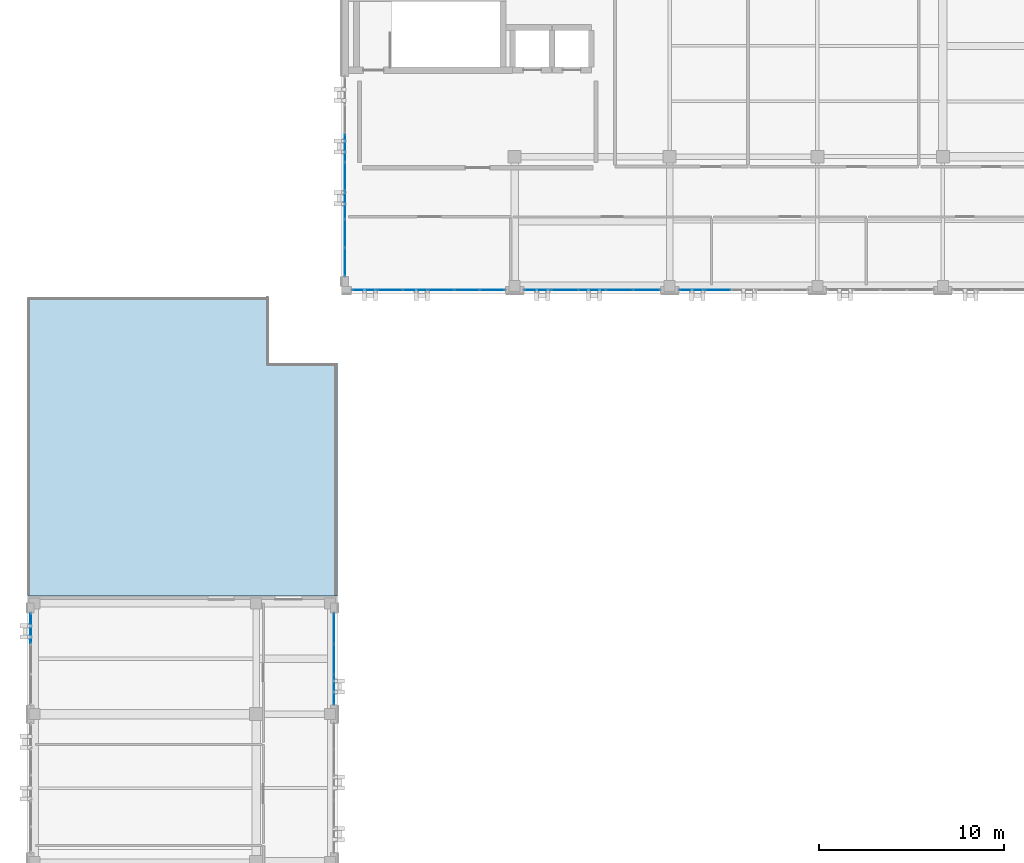
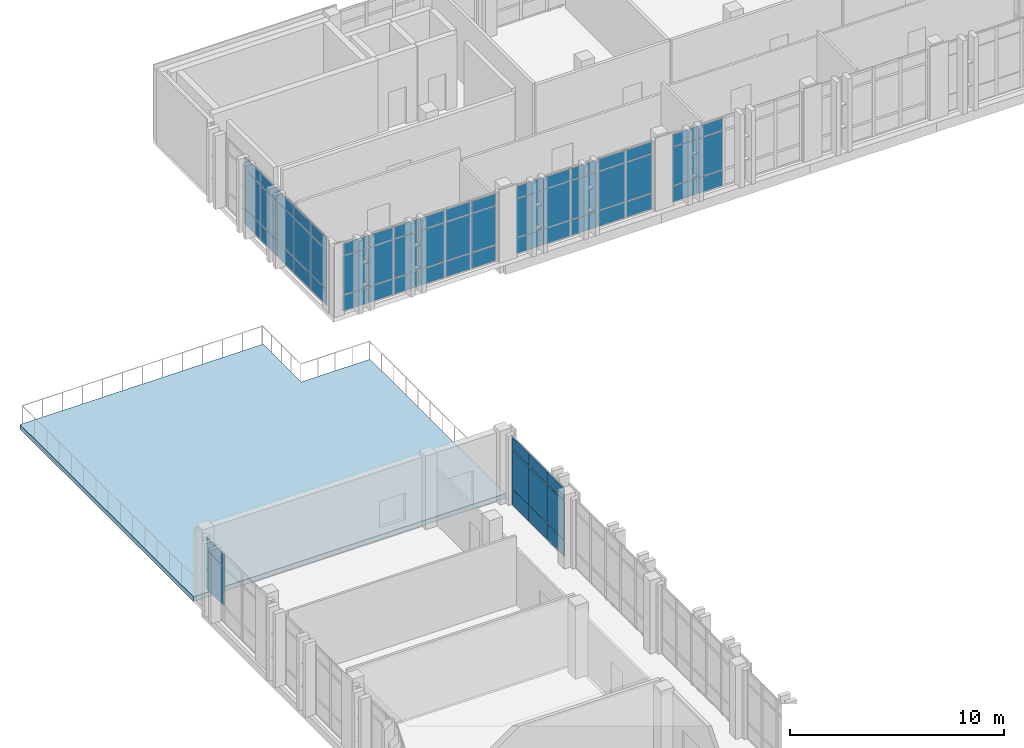
# One storey, part 53 of 77: 65 plates, 1 slab, 6 elements without a shape of their own.
"""IFC4 building model written with IfcOpenShell, lengths in metres."""

from ifc_helpers import new_model, si_unit, direction, frame, origin, origin_2d, place, context, subcontext, project, spatial, polyline, rectangle, outline, extrude, material, layer, layer_set, type_object, element, aggregate, save


model = new_model("IFC4")

# Units and contexts
model_context = context("Model", 3, precision=1e-05, world=origin(), true_north=direction((0.0, 1.0)))
body_context = subcontext(model_context, "Body", "Model", "MODEL_VIEW")
ifc_project = project(units=[si_unit("LENGTHUNIT", "METRE"), si_unit("AREAUNIT", "SQUARE_METRE"), si_unit("VOLUMEUNIT", "CUBIC_METRE"), si_unit("PLANEANGLEUNIT", "RADIAN"), si_unit("MASSUNIT", "GRAM", prefix="KILO")], contexts=[model_context])

# Site, building, storey
site_placement = place(None, origin())
site = spatial("IfcSite", under=ifc_project, at=site_placement, CompositionType="ELEMENT")
building_placement = place(site_placement, origin())
building = spatial("IfcBuilding", under=site, at=building_placement, Name="Qalavern Law Courts", CompositionType="ELEMENT")
storey_placement = place(building_placement, frame((0.0, 0.0, 27.0)))
storey = spatial("IfcBuildingStorey", under=building, at=storey_placement, Name="L06", CompositionType="ELEMENT", Elevation=27.0)

# Curtain wall, plates
ifc_material_1 = material(Name="Anodised aluminium and insulated glazing", Category="aluminium")
ifc_layer_1 = layer(ifc_material_1, 0.159912109375)
ifc_layer_set_1 = layer_set([ifc_layer_1], Name="Anodised aluminium and insulated glazing")
curtain_wall_type_1 = type_object("IfcCurtainWallType", Name="ENV-CW-CHAMB", PredefinedType="USERDEFINED", material=ifc_layer_set_1)
curtain_wall_1_placement = place(storey_placement, origin())
curtain_wall_1 = element("IfcCurtainWall", 1, at=curtain_wall_1_placement, inside=storey, type_object=curtain_wall_type_1, Name="V3 unitised curtain wall L06 west 1", ObjectType="UNITISED CURTAIN WALL", PredefinedType="USERDEFINED")
ifc_material_2 = material(Name="Insulated low-E acoustic glazing", Category="glass")
ifc_layer_2 = layer(ifc_material_2, 0.031982421875)
ifc_layer_set_2 = layer_set([ifc_layer_2], Name="Insulated low-E acoustic glazing")
plate_type_1 = type_object("IfcPlateType", Name="ENV-CWP-32", PredefinedType="CURTAIN_PANEL", material=ifc_layer_set_2)
plate_1_placement = place(storey_placement, frame((2.18505859375, 78.042236328125, 0.973876953125), z_axis=(0.0, 0.0, 1.0), x_axis=(0.0, -1.0, 0.0)))
plate_1 = element("IfcPlate", 2, at=plate_1_placement, type_object=plate_type_1, Name="CW-04 panel 1.2", PredefinedType="CURTAIN_PANEL", context=body_context, shape_type="SweptSolid", body=[
    extrude(rectangle(XDim=1.589599609375, YDim=0.031982421875, at=origin_2d()), origin(), (0.0, 0.0, 1.0), 2.18701171875),
])
plate_2_placement = place(storey_placement, frame((2.18505859375, 78.042236328125, 3.208984375), z_axis=(0.0, 0.0, 1.0), x_axis=(0.0, -1.0, 0.0)))
plate_2 = element("IfcPlate", 3, at=plate_2_placement, type_object=plate_type_1, Name="CW-04 panel 1.3", PredefinedType="CURTAIN_PANEL", context=body_context, shape_type="SweptSolid", body=[
    extrude(rectangle(XDim=1.589599609375, YDim=0.031982421875, at=origin_2d()), origin(), (0.0, 0.0, 1.0), 0.677978515625),
])
aggregate(curtain_wall_1, [plate_1, plate_2])

ifc_layer_3 = layer(ifc_material_1, 0.166015625)
ifc_layer_set_3 = layer_set([ifc_layer_3], Name="Anodised aluminium and insulated glazing")
curtain_wall_type_2 = type_object("IfcCurtainWallType", Name="ENV-CW-LIB", PredefinedType="USERDEFINED", material=ifc_layer_set_3)
curtain_wall_2_placement = place(storey_placement, origin())
curtain_wall_2 = element("IfcCurtainWall", 4, at=curtain_wall_2_placement, inside=storey, type_object=curtain_wall_type_2, Name="V5 unitised curtain wall L06 south 1", ObjectType="UNITISED CURTAIN WALL", PredefinedType="USERDEFINED")
plate_3_placement = place(storey_placement, frame((20.276123046875, 96.385009765625, 0.048095703125), z_axis=(0.0, 0.0, 1.0), x_axis=(1.0, 0.0, 0.0)))
plate_3 = element("IfcPlate", 5, at=plate_3_placement, type_object=plate_type_1, Name="CW-05 panel 1.1", PredefinedType="CURTAIN_PANEL", context=body_context, shape_type="SweptSolid", body=[
    extrude(rectangle(XDim=1.31640625, YDim=0.031982421875, at=origin_2d()), origin(), (0.0, 0.0, 1.0), 0.8779296875),
])
plate_4_placement = place(storey_placement, frame((20.276123046875, 96.385009765625, 0.973876953125), z_axis=(0.0, 0.0, 1.0), x_axis=(1.0, 0.0, 0.0)))
plate_4 = element("IfcPlate", 6, at=plate_4_placement, type_object=plate_type_1, Name="CW-05 panel 1.2", PredefinedType="CURTAIN_PANEL", context=body_context, shape_type="SweptSolid", body=[
    extrude(rectangle(XDim=1.31640625, YDim=0.031982421875, at=origin_2d()), origin(), (0.0, 0.0, 1.0), 2.18701171875),
])
plate_5_placement = place(storey_placement, frame((20.276123046875, 96.385009765625, 3.208984375), z_axis=(0.0, 0.0, 1.0), x_axis=(1.0, 0.0, 0.0)))
plate_5 = element("IfcPlate", 7, at=plate_5_placement, type_object=plate_type_1, Name="CW-05 panel 1.3", PredefinedType="CURTAIN_PANEL", context=body_context, shape_type="SweptSolid", body=[
    extrude(rectangle(XDim=1.31640625, YDim=0.031982421875, at=origin_2d()), origin(), (0.0, 0.0, 1.0), 0.677978515625),
])
plate_6_placement = place(storey_placement, frame((21.652587890625, 96.385009765625, 0.048095703125), z_axis=(0.0, 0.0, 1.0), x_axis=(1.0, 0.0, 0.0)))
plate_6 = element("IfcPlate", 8, at=plate_6_placement, type_object=plate_type_1, Name="CW-05 panel 2.1", PredefinedType="CURTAIN_PANEL", context=body_context, shape_type="SweptSolid", body=[
    extrude(rectangle(XDim=1.34033203125, YDim=0.031982421875, at=origin_2d()), origin(), (0.0, 0.0, 1.0), 0.8779296875),
])
plate_7_placement = place(storey_placement, frame((21.652587890625, 96.385009765625, 0.973876953125), z_axis=(0.0, 0.0, 1.0), x_axis=(1.0, 0.0, 0.0)))
plate_7 = element("IfcPlate", 9, at=plate_7_placement, type_object=plate_type_1, Name="CW-05 panel 2.2", PredefinedType="CURTAIN_PANEL", context=body_context, shape_type="SweptSolid", body=[
    extrude(rectangle(XDim=1.34033203125, YDim=0.031982421875, at=origin_2d()), origin(), (0.0, 0.0, 1.0), 2.18701171875),
])
plate_8_placement = place(storey_placement, frame((21.652587890625, 96.385009765625, 3.208984375), z_axis=(0.0, 0.0, 1.0), x_axis=(1.0, 0.0, 0.0)))
plate_8 = element("IfcPlate", 10, at=plate_8_placement, type_object=plate_type_1, Name="CW-05 panel 2.3", PredefinedType="CURTAIN_PANEL", context=body_context, shape_type="SweptSolid", body=[
    extrude(rectangle(XDim=1.34033203125, YDim=0.031982421875, at=origin_2d()), origin(), (0.0, 0.0, 1.0), 0.677978515625),
])
plate_9_placement = place(storey_placement, frame((23.040771484375, 96.385009765625, 0.048095703125), z_axis=(0.0, 0.0, 1.0), x_axis=(1.0, 0.0, 0.0)))
plate_9 = element("IfcPlate", 11, at=plate_9_placement, type_object=plate_type_1, Name="CW-05 panel 3.1", PredefinedType="CURTAIN_PANEL", context=body_context, shape_type="SweptSolid", body=[
    extrude(rectangle(XDim=1.34033203125, YDim=0.031982421875, at=origin_2d()), origin(), (0.0, 0.0, 1.0), 0.8779296875),
])
plate_10_placement = place(storey_placement, frame((23.040771484375, 96.385009765625, 0.973876953125), z_axis=(0.0, 0.0, 1.0), x_axis=(1.0, 0.0, 0.0)))
plate_10 = element("IfcPlate", 12, at=plate_10_placement, type_object=plate_type_1, Name="CW-05 panel 3.2", PredefinedType="CURTAIN_PANEL", context=body_context, shape_type="SweptSolid", body=[
    extrude(rectangle(XDim=1.34033203125, YDim=0.031982421875, at=origin_2d()), origin(), (0.0, 0.0, 1.0), 2.18701171875),
])
plate_11_placement = place(storey_placement, frame((23.040771484375, 96.385009765625, 3.208984375), z_axis=(0.0, 0.0, 1.0), x_axis=(1.0, 0.0, 0.0)))
plate_11 = element("IfcPlate", 13, at=plate_11_placement, type_object=plate_type_1, Name="CW-05 panel 3.3", PredefinedType="CURTAIN_PANEL", context=body_context, shape_type="SweptSolid", body=[
    extrude(rectangle(XDim=1.34033203125, YDim=0.031982421875, at=origin_2d()), origin(), (0.0, 0.0, 1.0), 0.677978515625),
])
plate_12_placement = place(storey_placement, frame((24.42919921875, 96.385009765625, 0.048095703125), z_axis=(0.0, 0.0, 1.0), x_axis=(1.0, 0.0, 0.0)))
plate_12 = element("IfcPlate", 14, at=plate_12_placement, type_object=plate_type_1, Name="CW-05 panel 4.1", PredefinedType="CURTAIN_PANEL", context=body_context, shape_type="SweptSolid", body=[
    extrude(rectangle(XDim=1.34033203125, YDim=0.031982421875, at=origin_2d()), origin(), (0.0, 0.0, 1.0), 0.8779296875),
])
plate_13_placement = place(storey_placement, frame((24.42919921875, 96.385009765625, 0.973876953125), z_axis=(0.0, 0.0, 1.0), x_axis=(1.0, 0.0, 0.0)))
plate_13 = element("IfcPlate", 15, at=plate_13_placement, type_object=plate_type_1, Name="CW-05 panel 4.2", PredefinedType="CURTAIN_PANEL", context=body_context, shape_type="SweptSolid", body=[
    extrude(rectangle(XDim=1.34033203125, YDim=0.031982421875, at=origin_2d()), origin(), (0.0, 0.0, 1.0), 2.18701171875),
])
plate_14_placement = place(storey_placement, frame((24.42919921875, 96.385009765625, 3.208984375), z_axis=(0.0, 0.0, 1.0), x_axis=(1.0, 0.0, 0.0)))
plate_14 = element("IfcPlate", 16, at=plate_14_placement, type_object=plate_type_1, Name="CW-05 panel 4.3", PredefinedType="CURTAIN_PANEL", context=body_context, shape_type="SweptSolid", body=[
    extrude(rectangle(XDim=1.34033203125, YDim=0.031982421875, at=origin_2d()), origin(), (0.0, 0.0, 1.0), 0.677978515625),
])
plate_15_placement = place(storey_placement, frame((25.8173828125, 96.385009765625, 0.048095703125), z_axis=(0.0, 0.0, 1.0), x_axis=(1.0, 0.0, 0.0)))
plate_15 = element("IfcPlate", 17, at=plate_15_placement, type_object=plate_type_1, Name="CW-05 panel 5.1", PredefinedType="CURTAIN_PANEL", context=body_context, shape_type="SweptSolid", body=[
    extrude(rectangle(XDim=1.34033203125, YDim=0.031982421875, at=origin_2d()), origin(), (0.0, 0.0, 1.0), 0.8779296875),
])
plate_16_placement = place(storey_placement, frame((25.8173828125, 96.385009765625, 0.973876953125), z_axis=(0.0, 0.0, 1.0), x_axis=(1.0, 0.0, 0.0)))
plate_16 = element("IfcPlate", 18, at=plate_16_placement, type_object=plate_type_1, Name="CW-05 panel 5.2", PredefinedType="CURTAIN_PANEL", context=body_context, shape_type="SweptSolid", body=[
    extrude(rectangle(XDim=1.34033203125, YDim=0.031982421875, at=origin_2d()), origin(), (0.0, 0.0, 1.0), 2.18701171875),
])
plate_17_placement = place(storey_placement, frame((25.8173828125, 96.385009765625, 3.208984375), z_axis=(0.0, 0.0, 1.0), x_axis=(1.0, 0.0, 0.0)))
plate_17 = element("IfcPlate", 19, at=plate_17_placement, type_object=plate_type_1, Name="CW-05 panel 5.3", PredefinedType="CURTAIN_PANEL", context=body_context, shape_type="SweptSolid", body=[
    extrude(rectangle(XDim=1.34033203125, YDim=0.031982421875, at=origin_2d()), origin(), (0.0, 0.0, 1.0), 0.677978515625),
])
plate_18_placement = place(storey_placement, frame((27.19384765625, 96.385009765625, 0.048095703125), z_axis=(0.0, 0.0, 1.0), x_axis=(1.0, 0.0, 0.0)))
plate_18 = element("IfcPlate", 20, at=plate_18_placement, type_object=plate_type_1, Name="CW-05 panel 6.1", PredefinedType="CURTAIN_PANEL", context=body_context, shape_type="SweptSolid", body=[
    extrude(rectangle(XDim=1.31640625, YDim=0.031982421875, at=origin_2d()), origin(), (0.0, 0.0, 1.0), 0.8779296875),
])
plate_19_placement = place(storey_placement, frame((27.19384765625, 96.385009765625, 0.973876953125), z_axis=(0.0, 0.0, 1.0), x_axis=(1.0, 0.0, 0.0)))
plate_19 = element("IfcPlate", 21, at=plate_19_placement, type_object=plate_type_1, Name="CW-05 panel 6.2", PredefinedType="CURTAIN_PANEL", context=body_context, shape_type="SweptSolid", body=[
    extrude(rectangle(XDim=1.31640625, YDim=0.031982421875, at=origin_2d()), origin(), (0.0, 0.0, 1.0), 2.18701171875),
])
plate_20_placement = place(storey_placement, frame((27.19384765625, 96.385009765625, 3.208984375), z_axis=(0.0, 0.0, 1.0), x_axis=(1.0, 0.0, 0.0)))
plate_20 = element("IfcPlate", 22, at=plate_20_placement, type_object=plate_type_1, Name="CW-05 panel 6.3", PredefinedType="CURTAIN_PANEL", context=body_context, shape_type="SweptSolid", body=[
    extrude(rectangle(XDim=1.31640625, YDim=0.031982421875, at=origin_2d()), origin(), (0.0, 0.0, 1.0), 0.677978515625),
])
aggregate(curtain_wall_2, [plate_3, plate_4, plate_5, plate_6, plate_7, plate_8, plate_9, plate_10, plate_11, plate_12, plate_13, plate_14, plate_15, plate_16, plate_17, plate_18, plate_19, plate_20])

curtain_wall_3_placement = place(storey_placement, origin())
curtain_wall_3 = element("IfcCurtainWall", 23, at=curtain_wall_3_placement, inside=storey, type_object=curtain_wall_type_2, Name="V5 unitised curtain wall L06 west 1", ObjectType="UNITISED CURTAIN WALL", PredefinedType="USERDEFINED")
plate_21_placement = place(storey_placement, frame((19.205078125, 104.080322265625, 0.048095703125), z_axis=(0.0, 0.0, 1.0), x_axis=(0.0, -1.0, 0.0)))
plate_21 = element("IfcPlate", 24, at=plate_21_placement, type_object=plate_type_1, Name="CW-05 panel 3.1", PredefinedType="CURTAIN_PANEL", context=body_context, shape_type="SweptSolid", body=[
    extrude(rectangle(XDim=1.499755859375, YDim=0.031982421875, at=origin_2d()), origin(), (0.0, 0.0, 1.0), 0.8779296875),
])
plate_22_placement = place(storey_placement, frame((19.205078125, 104.080322265625, 0.973876953125), z_axis=(0.0, 0.0, 1.0), x_axis=(0.0, -1.0, 0.0)))
plate_22 = element("IfcPlate", 25, at=plate_22_placement, type_object=plate_type_1, Name="CW-05 panel 3.2", PredefinedType="CURTAIN_PANEL", context=body_context, shape_type="SweptSolid", body=[
    extrude(rectangle(XDim=1.499755859375, YDim=0.031982421875, at=origin_2d()), origin(), (0.0, 0.0, 1.0), 2.18701171875),
])
plate_23_placement = place(storey_placement, frame((19.205078125, 104.080322265625, 3.208984375), z_axis=(0.0, 0.0, 1.0), x_axis=(0.0, -1.0, 0.0)))
plate_23 = element("IfcPlate", 26, at=plate_23_placement, type_object=plate_type_1, Name="CW-05 panel 3.3", PredefinedType="CURTAIN_PANEL", context=body_context, shape_type="SweptSolid", body=[
    extrude(rectangle(XDim=1.499755859375, YDim=0.031982421875, at=origin_2d()), origin(), (0.0, 0.0, 1.0), 0.677978515625),
])
plate_24_placement = place(storey_placement, frame((19.205078125, 102.532470703125, 0.048095703125), z_axis=(0.0, 0.0, 1.0), x_axis=(0.0, -1.0, 0.0)))
plate_24 = element("IfcPlate", 27, at=plate_24_placement, type_object=plate_type_1, Name="CW-05 panel 4.1", PredefinedType="CURTAIN_PANEL", context=body_context, shape_type="SweptSolid", body=[
    extrude(rectangle(XDim=1.499755859375, YDim=0.031982421875, at=origin_2d()), origin(), (0.0, 0.0, 1.0), 0.8779296875),
])
plate_25_placement = place(storey_placement, frame((19.205078125, 102.532470703125, 0.973876953125), z_axis=(0.0, 0.0, 1.0), x_axis=(0.0, -1.0, 0.0)))
plate_25 = element("IfcPlate", 28, at=plate_25_placement, type_object=plate_type_1, Name="CW-05 panel 4.2", PredefinedType="CURTAIN_PANEL", context=body_context, shape_type="SweptSolid", body=[
    extrude(rectangle(XDim=1.499755859375, YDim=0.031982421875, at=origin_2d()), origin(), (0.0, 0.0, 1.0), 2.18701171875),
])
plate_26_placement = place(storey_placement, frame((19.205078125, 102.532470703125, 3.208984375), z_axis=(0.0, 0.0, 1.0), x_axis=(0.0, -1.0, 0.0)))
plate_26 = element("IfcPlate", 29, at=plate_26_placement, type_object=plate_type_1, Name="CW-05 panel 4.3", PredefinedType="CURTAIN_PANEL", context=body_context, shape_type="SweptSolid", body=[
    extrude(rectangle(XDim=1.499755859375, YDim=0.031982421875, at=origin_2d()), origin(), (0.0, 0.0, 1.0), 0.677978515625),
])
plate_27_placement = place(storey_placement, frame((19.205078125, 100.984619140625, 0.048095703125), z_axis=(0.0, 0.0, 1.0), x_axis=(0.0, -1.0, 0.0)))
plate_27 = element("IfcPlate", 30, at=plate_27_placement, type_object=plate_type_1, Name="CW-05 panel 5.1", PredefinedType="CURTAIN_PANEL", context=body_context, shape_type="SweptSolid", body=[
    extrude(rectangle(XDim=1.499755859375, YDim=0.031982421875, at=origin_2d()), origin(), (0.0, 0.0, 1.0), 0.8779296875),
])
plate_28_placement = place(storey_placement, frame((19.205078125, 100.984619140625, 0.973876953125), z_axis=(0.0, 0.0, 1.0), x_axis=(0.0, -1.0, 0.0)))
plate_28 = element("IfcPlate", 31, at=plate_28_placement, type_object=plate_type_1, Name="CW-05 panel 5.2", PredefinedType="CURTAIN_PANEL", context=body_context, shape_type="SweptSolid", body=[
    extrude(rectangle(XDim=1.499755859375, YDim=0.031982421875, at=origin_2d()), origin(), (0.0, 0.0, 1.0), 2.18701171875),
])
plate_29_placement = place(storey_placement, frame((19.205078125, 100.984619140625, 3.208984375), z_axis=(0.0, 0.0, 1.0), x_axis=(0.0, -1.0, 0.0)))
plate_29 = element("IfcPlate", 32, at=plate_29_placement, type_object=plate_type_1, Name="CW-05 panel 5.3", PredefinedType="CURTAIN_PANEL", context=body_context, shape_type="SweptSolid", body=[
    extrude(rectangle(XDim=1.499755859375, YDim=0.031982421875, at=origin_2d()), origin(), (0.0, 0.0, 1.0), 0.677978515625),
])
plate_30_placement = place(storey_placement, frame((19.205078125, 99.436767578125, 0.048095703125), z_axis=(0.0, 0.0, 1.0), x_axis=(0.0, -1.0, 0.0)))
plate_30 = element("IfcPlate", 33, at=plate_30_placement, type_object=plate_type_1, Name="CW-05 panel 6.1", PredefinedType="CURTAIN_PANEL", context=body_context, shape_type="SweptSolid", body=[
    extrude(rectangle(XDim=1.499755859375, YDim=0.031982421875, at=origin_2d()), origin(), (0.0, 0.0, 1.0), 0.8779296875),
])
plate_31_placement = place(storey_placement, frame((19.205078125, 99.436767578125, 0.973876953125), z_axis=(0.0, 0.0, 1.0), x_axis=(0.0, -1.0, 0.0)))
plate_31 = element("IfcPlate", 34, at=plate_31_placement, type_object=plate_type_1, Name="CW-05 panel 6.2", PredefinedType="CURTAIN_PANEL", context=body_context, shape_type="SweptSolid", body=[
    extrude(rectangle(XDim=1.499755859375, YDim=0.031982421875, at=origin_2d()), origin(), (0.0, 0.0, 1.0), 2.18701171875),
])
plate_32_placement = place(storey_placement, frame((19.205078125, 99.436767578125, 3.208984375), z_axis=(0.0, 0.0, 1.0), x_axis=(0.0, -1.0, 0.0)))
plate_32 = element("IfcPlate", 35, at=plate_32_placement, type_object=plate_type_1, Name="CW-05 panel 6.3", PredefinedType="CURTAIN_PANEL", context=body_context, shape_type="SweptSolid", body=[
    extrude(rectangle(XDim=1.499755859375, YDim=0.031982421875, at=origin_2d()), origin(), (0.0, 0.0, 1.0), 0.677978515625),
])
plate_33_placement = place(storey_placement, frame((19.205078125, 97.90087890625, 0.048095703125), z_axis=(0.0, 0.0, 1.0), x_axis=(0.0, -1.0, 0.0)))
plate_33 = element("IfcPlate", 36, at=plate_33_placement, type_object=plate_type_1, Name="CW-05 panel 7.1", PredefinedType="CURTAIN_PANEL", context=body_context, shape_type="SweptSolid", body=[
    extrude(rectangle(XDim=1.475830078125, YDim=0.031982421875, at=origin_2d()), origin(), (0.0, 0.0, 1.0), 0.8779296875),
])
plate_34_placement = place(storey_placement, frame((19.205078125, 97.90087890625, 0.973876953125), z_axis=(0.0, 0.0, 1.0), x_axis=(0.0, -1.0, 0.0)))
plate_34 = element("IfcPlate", 37, at=plate_34_placement, type_object=plate_type_1, Name="CW-05 panel 7.2", PredefinedType="CURTAIN_PANEL", context=body_context, shape_type="SweptSolid", body=[
    extrude(rectangle(XDim=1.475830078125, YDim=0.031982421875, at=origin_2d()), origin(), (0.0, 0.0, 1.0), 2.18701171875),
])
plate_35_placement = place(storey_placement, frame((19.205078125, 97.90087890625, 3.208984375), z_axis=(0.0, 0.0, 1.0), x_axis=(0.0, -1.0, 0.0)))
plate_35 = element("IfcPlate", 38, at=plate_35_placement, type_object=plate_type_1, Name="CW-05 panel 7.3", PredefinedType="CURTAIN_PANEL", context=body_context, shape_type="SweptSolid", body=[
    extrude(rectangle(XDim=1.475830078125, YDim=0.031982421875, at=origin_2d()), origin(), (0.0, 0.0, 1.0), 0.677978515625),
])
aggregate(curtain_wall_3, [plate_21, plate_22, plate_23, plate_24, plate_25, plate_26, plate_27, plate_28, plate_29, plate_30, plate_31, plate_32, plate_33, plate_34, plate_35])

curtain_wall_4_placement = place(storey_placement, origin())
curtain_wall_4 = element("IfcCurtainWall", 39, at=curtain_wall_4_placement, inside=storey, type_object=curtain_wall_type_2, Name="V5 unitised curtain wall L06 south 2", ObjectType="UNITISED CURTAIN WALL", PredefinedType="USERDEFINED")
ifc_layer_4 = layer(ifc_material_2, 0.035888671875)
ifc_layer_set_4 = layer_set([ifc_layer_4], Name="Insulated low-E acoustic glazing")
plate_type_2 = type_object("IfcPlateType", Name="ENV-CWP-36", PredefinedType="CURTAIN_PANEL", material=ifc_layer_set_4)
plate_36_placement = place(storey_placement, frame((29.652099609375, 96.385009765625, 0.048095703125), z_axis=(0.0, 0.0, 1.0), x_axis=(1.0, 0.0, 0.0)))
plate_36 = element("IfcPlate", 40, at=plate_36_placement, type_object=plate_type_2, Name="CW-05 panel 1.1", PredefinedType="CURTAIN_PANEL", context=body_context, shape_type="SweptSolid", body=[
    extrude(rectangle(XDim=1.407958984375, YDim=0.035888671875, at=origin_2d()), origin(), (0.0, 0.0, 1.0), 0.8779296875),
])
plate_37_placement = place(storey_placement, frame((29.652099609375, 96.385009765625, 0.973876953125), z_axis=(0.0, 0.0, 1.0), x_axis=(1.0, 0.0, 0.0)))
plate_37 = element("IfcPlate", 41, at=plate_37_placement, type_object=plate_type_2, Name="CW-05 panel 1.2", PredefinedType="CURTAIN_PANEL", context=body_context, shape_type="SweptSolid", body=[
    extrude(rectangle(XDim=1.407958984375, YDim=0.035888671875, at=origin_2d()), origin(), (0.0, 0.0, 1.0), 2.18701171875),
])
plate_38_placement = place(storey_placement, frame((29.652099609375, 96.385009765625, 3.208984375), z_axis=(0.0, 0.0, 1.0), x_axis=(1.0, 0.0, 0.0)))
plate_38 = element("IfcPlate", 42, at=plate_38_placement, type_object=plate_type_2, Name="CW-05 panel 1.3", PredefinedType="CURTAIN_PANEL", context=body_context, shape_type="SweptSolid", body=[
    extrude(rectangle(XDim=1.407958984375, YDim=0.035888671875, at=origin_2d()), origin(), (0.0, 0.0, 1.0), 0.677978515625),
])
plate_39_placement = place(storey_placement, frame((31.1201171875, 96.385009765625, 0.048095703125), z_axis=(0.0, 0.0, 1.0), x_axis=(1.0, 0.0, 0.0)))
plate_39 = element("IfcPlate", 43, at=plate_39_placement, type_object=plate_type_2, Name="CW-05 panel 2.1", PredefinedType="CURTAIN_PANEL", context=body_context, shape_type="SweptSolid", body=[
    extrude(rectangle(XDim=1.431884765625, YDim=0.035888671875, at=origin_2d()), origin(), (0.0, 0.0, 1.0), 0.8779296875),
])
plate_40_placement = place(storey_placement, frame((31.1201171875, 96.385009765625, 0.973876953125), z_axis=(0.0, 0.0, 1.0), x_axis=(1.0, 0.0, 0.0)))
plate_40 = element("IfcPlate", 44, at=plate_40_placement, type_object=plate_type_2, Name="CW-05 panel 2.2", PredefinedType="CURTAIN_PANEL", context=body_context, shape_type="SweptSolid", body=[
    extrude(rectangle(XDim=1.431884765625, YDim=0.035888671875, at=origin_2d()), origin(), (0.0, 0.0, 1.0), 2.18701171875),
])
plate_41_placement = place(storey_placement, frame((31.1201171875, 96.385009765625, 3.208984375), z_axis=(0.0, 0.0, 1.0), x_axis=(1.0, 0.0, 0.0)))
plate_41 = element("IfcPlate", 45, at=plate_41_placement, type_object=plate_type_2, Name="CW-05 panel 2.3", PredefinedType="CURTAIN_PANEL", context=body_context, shape_type="SweptSolid", body=[
    extrude(rectangle(XDim=1.431884765625, YDim=0.035888671875, at=origin_2d()), origin(), (0.0, 0.0, 1.0), 0.677978515625),
])
plate_42_placement = place(storey_placement, frame((32.60009765625, 96.385009765625, 0.048095703125), z_axis=(0.0, 0.0, 1.0), x_axis=(1.0, 0.0, 0.0)))
plate_42 = element("IfcPlate", 46, at=plate_42_placement, type_object=plate_type_2, Name="CW-05 panel 3.1", PredefinedType="CURTAIN_PANEL", context=body_context, shape_type="SweptSolid", body=[
    extrude(rectangle(XDim=1.431884765625, YDim=0.035888671875, at=origin_2d()), origin(), (0.0, 0.0, 1.0), 0.8779296875),
])
plate_43_placement = place(storey_placement, frame((32.60009765625, 96.385009765625, 0.973876953125), z_axis=(0.0, 0.0, 1.0), x_axis=(1.0, 0.0, 0.0)))
plate_43 = element("IfcPlate", 47, at=plate_43_placement, type_object=plate_type_2, Name="CW-05 panel 3.2", PredefinedType="CURTAIN_PANEL", context=body_context, shape_type="SweptSolid", body=[
    extrude(rectangle(XDim=1.431884765625, YDim=0.035888671875, at=origin_2d()), origin(), (0.0, 0.0, 1.0), 2.18701171875),
])
plate_44_placement = place(storey_placement, frame((32.60009765625, 96.385009765625, 3.208984375), z_axis=(0.0, 0.0, 1.0), x_axis=(1.0, 0.0, 0.0)))
plate_44 = element("IfcPlate", 48, at=plate_44_placement, type_object=plate_type_2, Name="CW-05 panel 3.3", PredefinedType="CURTAIN_PANEL", context=body_context, shape_type="SweptSolid", body=[
    extrude(rectangle(XDim=1.431884765625, YDim=0.035888671875, at=origin_2d()), origin(), (0.0, 0.0, 1.0), 0.677978515625),
])
plate_45_placement = place(storey_placement, frame((34.080078125, 96.385009765625, 0.048095703125), z_axis=(0.0, 0.0, 1.0), x_axis=(1.0, 0.0, 0.0)))
plate_45 = element("IfcPlate", 49, at=plate_45_placement, type_object=plate_type_2, Name="CW-05 panel 4.1", PredefinedType="CURTAIN_PANEL", context=body_context, shape_type="SweptSolid", body=[
    extrude(rectangle(XDim=1.431884765625, YDim=0.035888671875, at=origin_2d()), origin(), (0.0, 0.0, 1.0), 0.8779296875),
])
plate_46_placement = place(storey_placement, frame((34.080078125, 96.385009765625, 0.973876953125), z_axis=(0.0, 0.0, 1.0), x_axis=(1.0, 0.0, 0.0)))
plate_46 = element("IfcPlate", 50, at=plate_46_placement, type_object=plate_type_2, Name="CW-05 panel 4.2", PredefinedType="CURTAIN_PANEL", context=body_context, shape_type="SweptSolid", body=[
    extrude(rectangle(XDim=1.431884765625, YDim=0.035888671875, at=origin_2d()), origin(), (0.0, 0.0, 1.0), 2.18701171875),
])
plate_47_placement = place(storey_placement, frame((34.080078125, 96.385009765625, 3.208984375), z_axis=(0.0, 0.0, 1.0), x_axis=(1.0, 0.0, 0.0)))
plate_47 = element("IfcPlate", 51, at=plate_47_placement, type_object=plate_type_2, Name="CW-05 panel 4.3", PredefinedType="CURTAIN_PANEL", context=body_context, shape_type="SweptSolid", body=[
    extrude(rectangle(XDim=1.431884765625, YDim=0.035888671875, at=origin_2d()), origin(), (0.0, 0.0, 1.0), 0.677978515625),
])
plate_48_placement = place(storey_placement, frame((35.548095703125, 96.385009765625, 0.048095703125), z_axis=(0.0, 0.0, 1.0), x_axis=(1.0, 0.0, 0.0)))
plate_48 = element("IfcPlate", 52, at=plate_48_placement, type_object=plate_type_2, Name="CW-05 panel 5.1", PredefinedType="CURTAIN_PANEL", context=body_context, shape_type="SweptSolid", body=[
    extrude(rectangle(XDim=1.407958984375, YDim=0.035888671875, at=origin_2d()), origin(), (0.0, 0.0, 1.0), 0.8779296875),
])
plate_49_placement = place(storey_placement, frame((35.548095703125, 96.385009765625, 0.973876953125), z_axis=(0.0, 0.0, 1.0), x_axis=(1.0, 0.0, 0.0)))
plate_49 = element("IfcPlate", 53, at=plate_49_placement, type_object=plate_type_2, Name="CW-05 panel 5.2", PredefinedType="CURTAIN_PANEL", context=body_context, shape_type="SweptSolid", body=[
    extrude(rectangle(XDim=1.407958984375, YDim=0.035888671875, at=origin_2d()), origin(), (0.0, 0.0, 1.0), 2.18701171875),
])
plate_50_placement = place(storey_placement, frame((35.548095703125, 96.385009765625, 3.208984375), z_axis=(0.0, 0.0, 1.0), x_axis=(1.0, 0.0, 0.0)))
plate_50 = element("IfcPlate", 54, at=plate_50_placement, type_object=plate_type_2, Name="CW-05 panel 5.3", PredefinedType="CURTAIN_PANEL", context=body_context, shape_type="SweptSolid", body=[
    extrude(rectangle(XDim=1.407958984375, YDim=0.035888671875, at=origin_2d()), origin(), (0.0, 0.0, 1.0), 0.677978515625),
])
aggregate(curtain_wall_4, [plate_36, plate_37, plate_38, plate_39, plate_40, plate_41, plate_42, plate_43, plate_44, plate_45, plate_46, plate_47, plate_48, plate_49, plate_50])

curtain_wall_5_placement = place(storey_placement, origin())
curtain_wall_5 = element("IfcCurtainWall", 55, at=curtain_wall_5_placement, inside=storey, type_object=curtain_wall_type_2, Name="V5 unitised curtain wall L06 south 3", ObjectType="UNITISED CURTAIN WALL", PredefinedType="USERDEFINED")
ifc_layer_5 = layer(ifc_material_2, 0.0400390625)
ifc_layer_set_5 = layer_set([ifc_layer_5], Name="Insulated low-E acoustic glazing")
plate_type_3 = type_object("IfcPlateType", Name="ENV-CWP-40", PredefinedType="CURTAIN_PANEL", material=ifc_layer_set_5)
plate_51_placement = place(storey_placement, frame((38.011962890625, 96.385009765625, 0.048095703125), z_axis=(0.0, 0.0, 1.0), x_axis=(1.0, 0.0, 0.0)))
plate_51 = element("IfcPlate", 56, at=plate_51_placement, type_object=plate_type_3, Name="CW-05 panel 1.1", PredefinedType="CURTAIN_PANEL", context=body_context, shape_type="SweptSolid", body=[
    extrude(rectangle(XDim=1.327880859375, YDim=0.0400390625, at=origin_2d()), origin(), (0.0, 0.0, 1.0), 0.8779296875),
])
plate_52_placement = place(storey_placement, frame((38.011962890625, 96.385009765625, 0.973876953125), z_axis=(0.0, 0.0, 1.0), x_axis=(1.0, 0.0, 0.0)))
plate_52 = element("IfcPlate", 57, at=plate_52_placement, type_object=plate_type_3, Name="CW-05 panel 1.2", PredefinedType="CURTAIN_PANEL", context=body_context, shape_type="SweptSolid", body=[
    extrude(rectangle(XDim=1.327880859375, YDim=0.0400390625, at=origin_2d()), origin(), (0.0, 0.0, 1.0), 2.18701171875),
])
plate_53_placement = place(storey_placement, frame((38.011962890625, 96.385009765625, 3.208984375), z_axis=(0.0, 0.0, 1.0), x_axis=(1.0, 0.0, 0.0)))
plate_53 = element("IfcPlate", 58, at=plate_53_placement, type_object=plate_type_3, Name="CW-05 panel 1.3", PredefinedType="CURTAIN_PANEL", context=body_context, shape_type="SweptSolid", body=[
    extrude(rectangle(XDim=1.327880859375, YDim=0.0400390625, at=origin_2d()), origin(), (0.0, 0.0, 1.0), 0.677978515625),
])
plate_54_placement = place(storey_placement, frame((39.39990234375, 96.385009765625, 0.048095703125), z_axis=(0.0, 0.0, 1.0), x_axis=(1.0, 0.0, 0.0)))
plate_54 = element("IfcPlate", 59, at=plate_54_placement, type_object=plate_type_3, Name="CW-05 panel 2.1", PredefinedType="CURTAIN_PANEL", context=body_context, shape_type="SweptSolid", body=[
    extrude(rectangle(XDim=1.35205078125, YDim=0.0400390625, at=origin_2d()), origin(), (0.0, 0.0, 1.0), 0.8779296875),
])
plate_55_placement = place(storey_placement, frame((39.39990234375, 96.385009765625, 0.973876953125), z_axis=(0.0, 0.0, 1.0), x_axis=(1.0, 0.0, 0.0)))
plate_55 = element("IfcPlate", 60, at=plate_55_placement, type_object=plate_type_3, Name="CW-05 panel 2.2", PredefinedType="CURTAIN_PANEL", context=body_context, shape_type="SweptSolid", body=[
    extrude(rectangle(XDim=1.35205078125, YDim=0.0400390625, at=origin_2d()), origin(), (0.0, 0.0, 1.0), 2.18701171875),
])
plate_56_placement = place(storey_placement, frame((39.39990234375, 96.385009765625, 3.208984375), z_axis=(0.0, 0.0, 1.0), x_axis=(1.0, 0.0, 0.0)))
plate_56 = element("IfcPlate", 61, at=plate_56_placement, type_object=plate_type_3, Name="CW-05 panel 2.3", PredefinedType="CURTAIN_PANEL", context=body_context, shape_type="SweptSolid", body=[
    extrude(rectangle(XDim=1.35205078125, YDim=0.0400390625, at=origin_2d()), origin(), (0.0, 0.0, 1.0), 0.677978515625),
])
aggregate(curtain_wall_5, [plate_51, plate_52, plate_53, plate_54, plate_55, plate_56])

curtain_wall_6_placement = place(storey_placement, origin())
curtain_wall_6 = element("IfcCurtainWall", 62, at=curtain_wall_6_placement, inside=storey, type_object=curtain_wall_type_1, Name="V3 unitised curtain wall L06 east 5", ObjectType="UNITISED CURTAIN WALL", PredefinedType="USERDEFINED")
ifc_layer_6 = layer(ifc_material_2, 0.048095703125)
ifc_layer_set_6 = layer_set([ifc_layer_6], Name="Insulated low-E acoustic glazing")
plate_type_4 = type_object("IfcPlateType", Name="ENV-CWP-48", PredefinedType="CURTAIN_PANEL", material=ifc_layer_set_6)
plate_57_placement = place(storey_placement, frame((18.614990234375, 74.742919921875, 0.048095703125), z_axis=(0.0, 0.0, 1.0), x_axis=(0.0, 1.0, 0.0)))
plate_57 = element("IfcPlate", 63, at=plate_57_placement, type_object=plate_type_4, Name="CW-04 panel 1.1", PredefinedType="CURTAIN_PANEL", context=body_context, shape_type="SweptSolid", body=[
    extrude(rectangle(XDim=1.589599609375, YDim=0.048095703125, at=origin_2d()), origin(), (0.0, 0.0, 1.0), 0.8779296875),
])
plate_58_placement = place(storey_placement, frame((18.614990234375, 74.742919921875, 0.973876953125), z_axis=(0.0, 0.0, 1.0), x_axis=(0.0, 1.0, 0.0)))
plate_58 = element("IfcPlate", 64, at=plate_58_placement, type_object=plate_type_4, Name="CW-04 panel 1.2", PredefinedType="CURTAIN_PANEL", context=body_context, shape_type="SweptSolid", body=[
    extrude(rectangle(XDim=1.589599609375, YDim=0.048095703125, at=origin_2d()), origin(), (0.0, 0.0, 1.0), 2.18701171875),
])
plate_59_placement = place(storey_placement, frame((18.614990234375, 74.742919921875, 3.208984375), z_axis=(0.0, 0.0, 1.0), x_axis=(0.0, 1.0, 0.0)))
plate_59 = element("IfcPlate", 65, at=plate_59_placement, type_object=plate_type_4, Name="CW-04 panel 1.3", PredefinedType="CURTAIN_PANEL", context=body_context, shape_type="SweptSolid", body=[
    extrude(rectangle(XDim=1.589599609375, YDim=0.048095703125, at=origin_2d()), origin(), (0.0, 0.0, 1.0), 0.677978515625),
])
plate_60_placement = place(storey_placement, frame((18.614990234375, 76.392578125, 0.048095703125), z_axis=(0.0, 0.0, 1.0), x_axis=(0.0, 1.0, 0.0)))
plate_60 = element("IfcPlate", 66, at=plate_60_placement, type_object=plate_type_4, Name="CW-04 panel 2.1", PredefinedType="CURTAIN_PANEL", context=body_context, shape_type="SweptSolid", body=[
    extrude(rectangle(XDim=1.61376953125, YDim=0.048095703125, at=origin_2d()), origin(), (0.0, 0.0, 1.0), 0.8779296875),
])
plate_61_placement = place(storey_placement, frame((18.614990234375, 76.392578125, 0.973876953125), z_axis=(0.0, 0.0, 1.0), x_axis=(0.0, 1.0, 0.0)))
plate_61 = element("IfcPlate", 67, at=plate_61_placement, type_object=plate_type_4, Name="CW-04 panel 2.2", PredefinedType="CURTAIN_PANEL", context=body_context, shape_type="SweptSolid", body=[
    extrude(rectangle(XDim=1.61376953125, YDim=0.048095703125, at=origin_2d()), origin(), (0.0, 0.0, 1.0), 2.18701171875),
])
plate_62_placement = place(storey_placement, frame((18.614990234375, 76.392578125, 3.208984375), z_axis=(0.0, 0.0, 1.0), x_axis=(0.0, 1.0, 0.0)))
plate_62 = element("IfcPlate", 68, at=plate_62_placement, type_object=plate_type_4, Name="CW-04 panel 2.3", PredefinedType="CURTAIN_PANEL", context=body_context, shape_type="SweptSolid", body=[
    extrude(rectangle(XDim=1.61376953125, YDim=0.048095703125, at=origin_2d()), origin(), (0.0, 0.0, 1.0), 0.677978515625),
])
plate_63_placement = place(storey_placement, frame((18.614990234375, 78.042236328125, 0.048095703125), z_axis=(0.0, 0.0, 1.0), x_axis=(0.0, 1.0, 0.0)))
plate_63 = element("IfcPlate", 69, at=plate_63_placement, type_object=plate_type_4, Name="CW-04 panel 3.1", PredefinedType="CURTAIN_PANEL", context=body_context, shape_type="SweptSolid", body=[
    extrude(rectangle(XDim=1.589599609375, YDim=0.048095703125, at=origin_2d()), origin(), (0.0, 0.0, 1.0), 0.8779296875),
])
plate_64_placement = place(storey_placement, frame((18.614990234375, 78.042236328125, 0.973876953125), z_axis=(0.0, 0.0, 1.0), x_axis=(0.0, 1.0, 0.0)))
plate_64 = element("IfcPlate", 70, at=plate_64_placement, type_object=plate_type_4, Name="CW-04 panel 3.2", PredefinedType="CURTAIN_PANEL", context=body_context, shape_type="SweptSolid", body=[
    extrude(rectangle(XDim=1.589599609375, YDim=0.048095703125, at=origin_2d()), origin(), (0.0, 0.0, 1.0), 2.18701171875),
])
plate_65_placement = place(storey_placement, frame((18.614990234375, 78.042236328125, 3.208984375), z_axis=(0.0, 0.0, 1.0), x_axis=(0.0, 1.0, 0.0)))
plate_65 = element("IfcPlate", 71, at=plate_65_placement, type_object=plate_type_4, Name="CW-04 panel 3.3", PredefinedType="CURTAIN_PANEL", context=body_context, shape_type="SweptSolid", body=[
    extrude(rectangle(XDim=1.589599609375, YDim=0.048095703125, at=origin_2d()), origin(), (0.0, 0.0, 1.0), 0.677978515625),
])
aggregate(curtain_wall_6, [plate_57, plate_58, plate_59, plate_60, plate_61, plate_62, plate_63, plate_64, plate_65])

# Slab
ifc_material_3 = material(Name="Concrete C35/45", Category="concrete")
ifc_layer_7 = layer(ifc_material_3, 0.26806640625)
ifc_layer_set_7 = layer_set([ifc_layer_7], Name="Concrete C35/45")
slab_type = type_object("IfcSlabType", Name="STR-TER-L06", PredefinedType="FLOOR", material=ifc_layer_set_7)
slab_placement = place(storey_placement, frame((0.0, 0.0, -0.26806640625)))
element("IfcSlab", 72, at=slab_placement, inside=storey, type_object=slab_type, Name="V3 outdoor terrace deck L06", PredefinedType="FLOOR", context=body_context, shape_type="SweptSolid", body=[
    extrude(outline(polyline([(2.0, 79.800048828125), (18.800048828125, 79.800048828125), (18.800048828125, 92.419921875), (15.10009765625, 92.419921875), (15.10009765625, 95.97998046875), (2.0, 95.97998046875), (2.0, 79.800048828125)])), origin(), (0.0, 0.0, 1.0), 0.26806640625),
])

save(model, "model.ifc")
